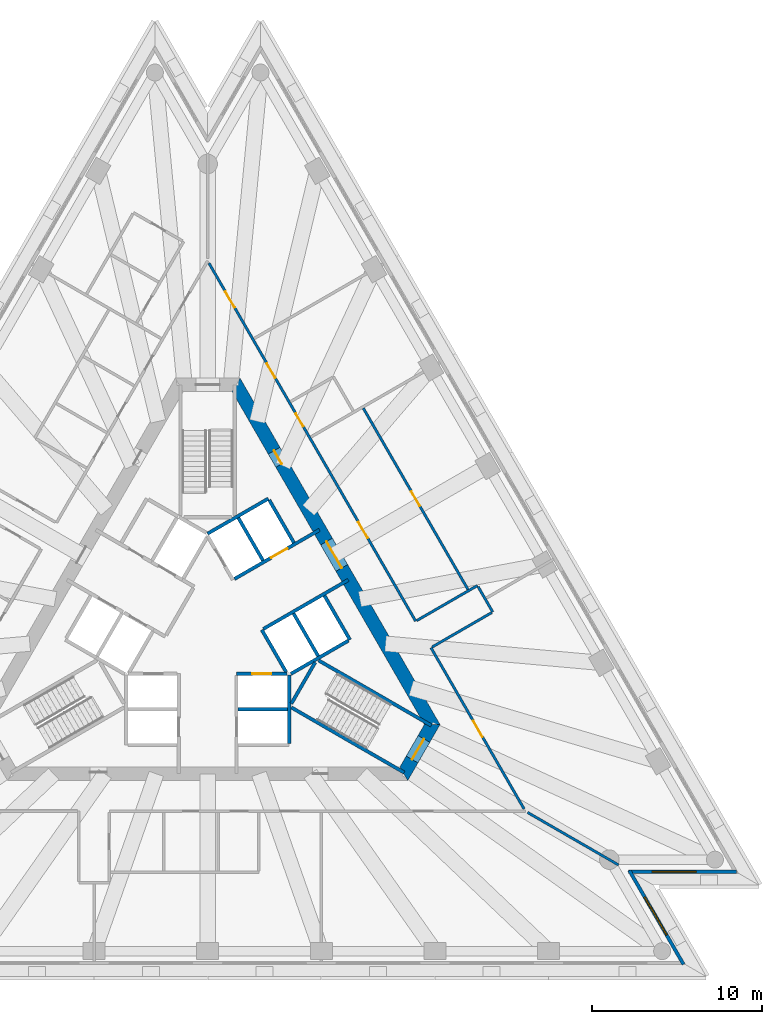
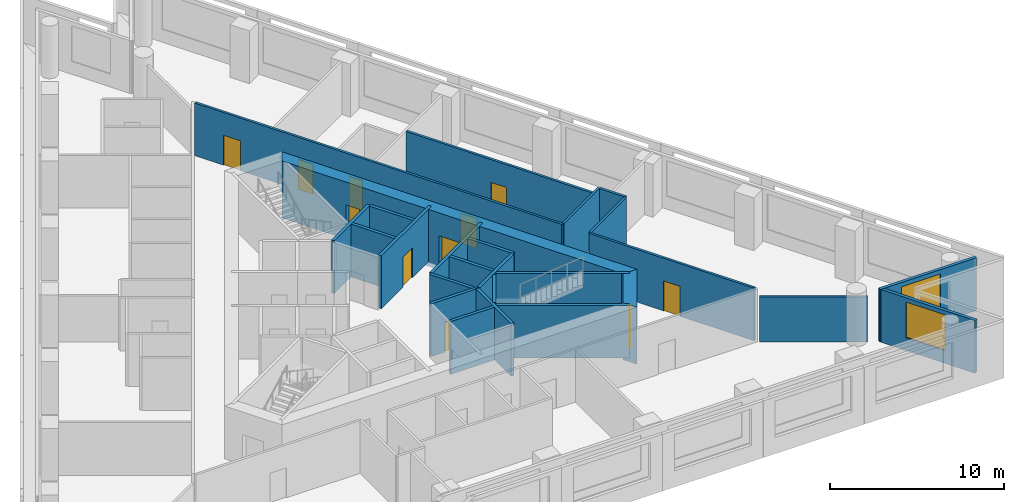
# One storey, part 5 of 9: 26 walls, 11 doors, 2 windows, 13 openings.
"""IFC4 building model written with IfcOpenShell, lengths in metres."""

from ifc_helpers import new_model, si_unit, direction, frame, frame_2d, origin, place, context, subcontext, project, spatial, polyline, rectangle, outline, extrude, material, layer, layer_set, layer_usage, type_object, element, fill, save


model = new_model("IFC4")

# Units and contexts
model_context = context("Model", 3, precision=1e-05, world=origin(), true_north=direction((0.0, 1.0)))
body_context = subcontext(model_context, "Body", "Model", "MODEL_VIEW")
ifc_project = project(units=[si_unit("LENGTHUNIT", "METRE"), si_unit("AREAUNIT", "SQUARE_METRE"), si_unit("VOLUMEUNIT", "CUBIC_METRE"), si_unit("PLANEANGLEUNIT", "RADIAN"), si_unit("MASSUNIT", "GRAM", prefix="KILO")], contexts=[model_context])

# Site, building, storey
site_placement = place(None, origin())
site = spatial("IfcSite", under=ifc_project, at=site_placement, CompositionType="ELEMENT")
building_placement = place(site_placement, origin())
building = spatial("IfcBuilding", under=site, at=building_placement, Name="Triada Interchange Tower", CompositionType="ELEMENT")
storey_placement = place(building_placement, frame((0.0, 0.0, 140.300048828125)))
storey = spatial("IfcBuildingStorey", under=building, at=storey_placement, Name="L32", CompositionType="ELEMENT", Elevation=140.300048828125)

# Wall
ifc_material_1 = material(Name="Concrete C30/37", Category="concrete")
ifc_layer_1 = layer(ifc_material_1, 0.199951171875)
ifc_layer_set_1 = layer_set([ifc_layer_1], Name="CORE WALL 200 EI 120")
wall_type_1 = type_object("IfcWallType", Name="CORE WALL 200 EI 120", PredefinedType="SOLIDWALL", material=ifc_layer_set_1)
wall_1_placement = place(storey_placement, frame((1.800048828125, -4.800048828125, 0.0), z_axis=(0.0, 0.0, 1.0), x_axis=(1.0, 0.0, 0.0)))
element("IfcWall", 1, at=wall_1_placement, inside=storey, type_object=wall_type_1, Name="Wall L32 49", PredefinedType="SOLIDWALL", context=body_context, shape_type="SweptSolid", body=[
    extrude(rectangle(XDim=2.89990234375, YDim=0.199951171875, at=frame_2d((1.449951171875, 0.0))), origin(), (0.0, 0.0, 1.0), 3.699951171875),
])

# Wall, opening, door
wall_2_placement = place(storey_placement, frame((1.702880859375, -2.699951171875, 0.0), z_axis=(0.0, 0.0, 1.0), x_axis=(1.0, 0.0, 0.0)))
wall_2 = element("IfcWall", 2, at=wall_2_placement, inside=storey, type_object=wall_type_1, Name="Wall L32 55", PredefinedType="SOLIDWALL", context=body_context, shape_type="SweptSolid", body=[
    extrude(rectangle(XDim=2.97314453125, YDim=0.199951171875, at=frame_2d((1.486572265625, 0.0))), origin(), (0.0, 0.0, 1.0), 3.699951171875),
])
opening_1_placement = place(wall_2_placement, frame((0.93603515625, 0.0, 0.0)))
opening_1 = element("IfcOpeningElement", 3, at=opening_1_placement, cuts=wall_2, Name="Opening LD-LR1", PredefinedType="OPENING", context=body_context, shape_type="SweptSolid", body=[
    extrude(rectangle(XDim=1.10009765625, YDim=2.10009765625, at=frame_2d((0.550048828125, 1.050048828125))), frame((0.0, 0.10986328125, 0.0), z_axis=(0.0, -1.0, 0.0), x_axis=(1.0, 0.0, 0.0)), (0.0, 0.0, 1.0), 0.219970703125),
])
ifc_material_2 = material(Name="Steel S235 door leaf", Category="steel")
door_type_1 = type_object("IfcDoorType", Name="LIFT LANDING DOOR 1100 EI 120", OperationType="SLIDING_TO_LEFT", PredefinedType="DOOR", material=ifc_material_2)
door_1_placement = place(opening_1_placement, origin())
door_1 = element("IfcDoor", 4, at=door_1_placement, inside=storey, type_object=door_type_1, Name="LR1 landing door L32", OperationType="SLIDING_TO_LEFT", OverallHeight=2.10009765625, OverallWidth=1.10009765625, PredefinedType="DOOR", context=body_context, shape_type="SweptSolid", body=[
    extrude(rectangle(XDim=1.10009765625, YDim=2.10009765625, at=frame_2d((0.550048828125, 1.050048828125))), frame((0.0, 0.02490234375, 0.0), z_axis=(0.0, -1.0, 0.0), x_axis=(1.0, 0.0, 0.0)), (0.0, 0.0, 1.0), 0.050048828125),
])
fill(opening_1, door_1)

# Walls
wall_3_placement = place(storey_placement, frame((-0.001953125, 5.5419921875, 0.0), z_axis=(0.0, 0.0, 1.0), x_axis=(0.866103910842, 0.499863997127, 0.0)))
element("IfcWall", 5, at=wall_3_placement, inside=storey, type_object=wall_type_1, Name="Wall L32 56", PredefinedType="SOLIDWALL", context=body_context, shape_type="SweptSolid", body=[
    extrude(rectangle(XDim=4.131103515625, YDim=0.199951171875, at=frame_2d((2.0654296875, 0.0))), origin(), (0.0, 0.0, 1.0), 3.699951171875),
])
wall_4_placement = place(storey_placement, frame((3.18994140625, -0.125, 0.0), z_axis=(0.0, 0.0, 1.0), x_axis=(0.499988658015, -0.866031951983, 0.0)))
element("IfcWall", 6, at=wall_4_placement, inside=storey, type_object=wall_type_1, Name="Wall L32 58", PredefinedType="SOLIDWALL", context=body_context, shape_type="SweptSolid", body=[
    extrude(rectangle(XDim=2.85791015625, YDim=0.199951171875, at=frame_2d((1.428955078125, 0.0))), origin(), (0.0, 0.0, 1.0), 3.699951171875),
])

# Wall, opening, door
wall_5_placement = place(storey_placement, frame((1.576904296875, 2.8740234375, 0.0), z_axis=(0.0, 0.0, 1.0), x_axis=(0.866073694534, 0.499916348638, 0.0)))
wall_5 = element("IfcWall", 7, at=wall_5_placement, inside=storey, type_object=wall_type_1, Name="Wall L32 59", PredefinedType="SOLIDWALL", context=body_context, shape_type="SweptSolid", body=[
    extrude(rectangle(XDim=5.77685546875, YDim=0.199951171875, at=frame_2d((2.888427734375, 0.0))), origin(), (0.0, 0.0, 1.0), 3.699951171875),
])
opening_2_placement = place(wall_5_placement, frame((2.4970703125, 0.0, 0.0)))
opening_2 = element("IfcOpeningElement", 8, at=opening_2_placement, cuts=wall_5, Name="Opening LD-LR6", PredefinedType="OPENING", context=body_context, shape_type="SweptSolid", body=[
    extrude(rectangle(XDim=1.10009765625, YDim=2.10009765625, at=frame_2d((0.550048828125, 1.050048828125))), frame((0.0, 0.10986328125, 0.0), z_axis=(0.0, -1.0, 0.0), x_axis=(1.0, 0.0, 0.0)), (0.0, 0.0, 1.0), 0.219970703125),
])
door_2_placement = place(opening_2_placement, origin())
door_2 = element("IfcDoor", 9, at=door_2_placement, inside=storey, type_object=door_type_1, Name="LR6 landing door L32", OperationType="SLIDING_TO_LEFT", OverallHeight=2.10009765625, OverallWidth=1.10009765625, PredefinedType="DOOR", context=body_context, shape_type="SweptSolid", body=[
    extrude(rectangle(XDim=1.10009765625, YDim=2.10009765625, at=frame_2d((0.550048828125, 1.050048828125))), frame((0.0, 0.02490234375, 0.0), z_axis=(0.0, -1.0, 0.0), x_axis=(1.0, 0.0, 0.0)), (0.0, 0.0, 1.0), 0.050048828125),
])
fill(opening_2, door_2)

# Walls
wall_6_placement = place(storey_placement, frame((3.278076171875, -0.071044921875, 0.0), z_axis=(0.0, 0.0, 1.0), x_axis=(0.865929348003, 0.5001663366, 0.0)))
element("IfcWall", 10, at=wall_6_placement, inside=storey, type_object=wall_type_1, Name="Wall L32 61", PredefinedType="SOLIDWALL", context=body_context, shape_type="SweptSolid", body=[
    extrude(rectangle(XDim=5.7763671875, YDim=0.199951171875, at=frame_2d((2.88818359375, 0.0))), origin(), (0.0, 0.0, 1.0), 3.699951171875),
])
wall_7_placement = place(storey_placement, frame((4.800048828125, -6.800048828125, 0.0), z_axis=(0.0, 0.0, 1.0), x_axis=(0.0, 1.0, 0.0)))
element("IfcWall", 11, at=wall_7_placement, inside=storey, type_object=wall_type_1, Name="Wall L32 62", PredefinedType="SOLIDWALL", context=body_context, shape_type="SweptSolid", body=[
    extrude(rectangle(XDim=4.029052734375, YDim=0.199951171875, at=frame_2d((2.0146484375, 0.0))), origin(), (0.0, 0.0, 1.0), 3.699951171875),
])
wall_8_placement = place(storey_placement, frame((3.6259765625, 7.52001953125, 0.0), z_axis=(0.0, 0.0, 1.0), x_axis=(0.500060147554, -0.865990674793, 0.0)))
element("IfcWall", 12, at=wall_8_placement, inside=storey, type_object=wall_type_1, Name="Wall L32 63", PredefinedType="SOLIDWALL", context=body_context, shape_type="SweptSolid", body=[
    extrude(rectangle(XDim=2.899658203125, YDim=0.199951171875, at=frame_2d((1.44970703125, 0.0))), origin(), (0.0, 0.0, 1.0), 3.699951171875),
])
wall_9_placement = place(storey_placement, frame((6.8759765625, 1.89111328125, 0.0), z_axis=(0.0, 0.0, 1.0), x_axis=(0.499990139034, -0.866031096941, 0.0)))
element("IfcWall", 13, at=wall_9_placement, inside=storey, type_object=wall_type_1, Name="Wall L32 64", PredefinedType="SOLIDWALL", context=body_context, shape_type="SweptSolid", body=[
    extrude(rectangle(XDim=3.0, YDim=0.199951171875, at=frame_2d((1.5, 0.0))), origin(), (0.0, 0.0, 1.0), 3.699951171875),
])
for number, where, z_axis, x_axis, name in (
    (14, (1.806884765625, 6.469970703125, 0.0), (0.0, 0.0, 1.0), (0.50012328804, -0.865954211699, 0.0), "Wall L32 65"),
    (15, (5.056884765625, 0.841064453125, 0.0), (0.0, 0.0, 1.0), (0.50012328804, -0.865954211699, 0.0), "Wall L32 66"),
):
    element("IfcWall", number, at=place(storey_placement, frame(where, z_axis=z_axis, x_axis=x_axis)), inside=storey, type_object=wall_type_1, Name=name, PredefinedType="SOLIDWALL", context=body_context, shape_type="SweptSolid", body=[
        extrude(rectangle(XDim=2.899658203125, YDim=0.199951171875, at=frame_2d((1.44970703125, 0.0))), origin(), (0.0, 0.0, 1.0), 3.699951171875),
    ])
wall_10_placement = place(storey_placement, frame((4.89990234375, -2.714111328125, 0.0), z_axis=(0.0, 0.0, 1.0), x_axis=(0.865992350556, 0.500057245502, 0.0)))
element("IfcWall", 16, at=wall_10_placement, inside=storey, type_object=wall_type_1, Name="Wall L32 67", PredefinedType="SOLIDWALL", context=body_context, shape_type="SweptSolid", body=[
    extrude(rectangle(XDim=3.91357421875, YDim=0.199951171875, at=frame_2d((1.956787109375, 0.0))), origin(), (0.0, 0.0, 1.0), 3.699951171875),
])
ifc_layer_2 = layer(ifc_material_1, 0.199951171875)
ifc_layer_set_2 = layer_set([ifc_layer_2], Name="CORE WALL 200 REI 240")
wall_type_2 = type_object("IfcWallType", Name="CORE WALL 200 REI 240", PredefinedType="SOLIDWALL", material=ifc_layer_set_2)
wall_11_placement = place(storey_placement, frame((4.928955078125, -4.693115234375, 0.0), z_axis=(0.0, 0.0, 1.0), x_axis=(0.866005769735, -0.50003400563, 0.0)))
element("IfcWall", 17, at=wall_11_placement, inside=storey, type_object=wall_type_2, Name="Wall L32 89", PredefinedType="SOLIDWALL", context=body_context, shape_type="SweptSolid", body=[
    extrude(rectangle(XDim=7.6650390625, YDim=0.199951171875, at=frame_2d((3.83251953125, 0.0))), origin(), (0.0, 0.0, 1.0), 3.699951171875),
])
wall_12_placement = place(storey_placement, frame((4.928955078125, -4.4619140625, 0.0), z_axis=(0.0, 0.0, 1.0), x_axis=(0.500200581029, 0.865909567298, 0.0)))
element("IfcWall", 18, at=wall_12_placement, inside=storey, type_object=wall_type_2, Name="Wall L32 90", PredefinedType="SOLIDWALL", context=body_context, shape_type="SweptSolid", body=[
    extrude(rectangle(XDim=2.799072265625, YDim=0.199951171875, at=frame_2d((1.3994140625, 0.0))), origin(), (0.0, 0.0, 1.0), 3.699951171875),
])
wall_13_placement = place(storey_placement, frame((6.529052734375, -1.922119140625, 0.0), z_axis=(0.0, 0.0, 1.0), x_axis=(0.866060938598, -0.499938446846, 0.0)))
element("IfcWall", 19, at=wall_13_placement, inside=storey, type_object=wall_type_2, Name="Wall L32 91", PredefinedType="SOLIDWALL", context=body_context, shape_type="SweptSolid", body=[
    extrude(rectangle(XDim=7.66455078125, YDim=0.199951171875, at=frame_2d((3.832275390625, 0.0))), origin(), (0.0, 0.0, 1.0), 3.699951171875),
])

# Wall, opening, door
ifc_material_3 = material(Name="Concrete C60/75", Category="concrete")
ifc_layer_3 = layer(ifc_material_3, 0.800048828125)
ifc_layer_set_3 = layer_set([ifc_layer_3], Name="Core wall B 800")
wall_type_3 = type_object("IfcWallType", Name="Core wall B 800", PredefinedType="SHEAR", material=ifc_layer_set_3)
wall_14_placement = place(storey_placement, frame((11.547119140625, -8.60009765625, -0.300048828125), z_axis=(0.0, 0.0, 1.0), x_axis=(0.49987182685, 0.866099391942, 0.0)))
wall_14 = element("IfcWall", 20, at=wall_14_placement, inside=storey, type_object=wall_type_3, Name="Core wall WB05 L32", PredefinedType="SHEAR", context=body_context, shape_type="SweptSolid", body=[
    extrude(outline(polyline([(-0.23095703125, -0.39990234375), (1.674072265625, -0.39990234375), (3.5791015625, -0.39990234375), (3.117919921875, 0.39990234375), (1.67431640625, 0.39990234375), (0.23095703125, 0.39990234375), (-0.23095703125, -0.39990234375)])), origin(), (0.0, 0.0, 1.0), 4.0),
])
opening_3_placement = place(wall_14_placement, frame((0.97412109375, 0.0, 0.300048828125)))
opening_3 = element("IfcOpeningElement", 21, at=opening_3_placement, cuts=wall_14, Name="Opening D32-37", PredefinedType="OPENING", context=body_context, shape_type="SweptSolid", body=[
    extrude(rectangle(XDim=1.39990234375, YDim=2.10009765625, at=frame_2d((0.699951171875, 1.050048828125))), frame((0.0, 0.409912109375, 0.0), z_axis=(0.0, -1.0, 0.0), x_axis=(1.0, 0.0, 0.0)), (0.0, 0.0, 1.0), 0.820068359375),
])
door_type_2 = type_object("IfcDoorType", Name="STAIR DOOR 1400 EI2 90-C5S200", OperationType="DOUBLE_DOOR_SINGLE_SWING", PredefinedType="DOOR", material=ifc_material_2)
door_3_placement = place(opening_3_placement, origin())
door_3 = element("IfcDoor", 22, at=door_3_placement, inside=storey, type_object=door_type_2, Name="Door D32-37 L32", OperationType="DOUBLE_DOOR_SINGLE_SWING", OverallHeight=2.10009765625, OverallWidth=1.39990234375, PredefinedType="DOOR", context=body_context, shape_type="SweptSolid", body=[
    extrude(rectangle(XDim=1.39990234375, YDim=2.10009765625, at=frame_2d((0.699951171875, 1.050048828125))), frame((0.0, 0.02490234375, 0.0), z_axis=(0.0, -1.0, 0.0), x_axis=(1.0, 0.0, 0.0)), (0.0, 0.0, 1.0), 0.050048828125),
])
fill(opening_3, door_3)

# Wall, openings, doors
wall_15_placement = place(storey_placement, frame((13.220947265625, -5.699951171875, -0.300048828125), z_axis=(0.0, 0.0, 1.0), x_axis=(-0.499995765644, 0.866027848477, 0.0)))
wall_15 = element("IfcWall", 23, at=wall_15_placement, inside=storey, type_object=wall_type_3, Name="Core wall WB06 L32", PredefinedType="SHEAR", context=body_context, shape_type="SweptSolid", body=[
    extrude(outline(polyline([(-0.23095703125, -0.39990234375), (1.73193359375, -0.39990234375), (3.695068359375, -0.39990234375), (5.657958984375, -0.39990234375), (7.62109375, -0.39990234375), (9.583984375, -0.39990234375), (11.546875, -0.39990234375), (13.510009765625, -0.39990234375), (15.472900390625, -0.39990234375), (17.43603515625, -0.39990234375), (19.39892578125, -0.39990234375), (21.362060546875, -0.39990234375), (23.324951171875, -0.39990234375), (22.863037109375, 0.39990234375), (20.97705078125, 0.39990234375), (19.091064453125, 0.39990234375), (17.205078125, 0.39990234375), (15.319091796875, 0.39990234375), (13.43310546875, 0.39990234375), (11.546875, 0.39990234375), (9.660888671875, 0.39990234375), (7.77490234375, 0.39990234375), (5.888916015625, 0.39990234375), (4.0029296875, 0.39990234375), (2.116943359375, 0.39990234375), (0.23095703125, 0.39990234375), (-0.23095703125, -0.39990234375)])), origin(), (0.0, 0.0, 1.0), 4.0),
])
opening_4_placement = place(wall_15_placement, frame((10.64697265625, 0.0, 0.300048828125)))
opening_4 = element("IfcOpeningElement", 24, at=opening_4_placement, cuts=wall_15, Name="Opening D32-34", PredefinedType="OPENING", context=body_context, shape_type="SweptSolid", body=[
    extrude(rectangle(XDim=1.800048828125, YDim=2.10009765625, at=frame_2d((0.89990234375, 1.050048828125))), frame((0.0, 0.409912109375, 0.0), z_axis=(0.0, -1.0, 0.0), x_axis=(1.0, 0.0, 0.0)), (0.0, 0.0, 1.0), 0.820068359375),
])
opening_5_placement = place(wall_15_placement, frame((17.720947265625, 0.0, 0.300048828125)))
opening_5 = element("IfcOpeningElement", 25, at=opening_5_placement, cuts=wall_15, Name="Opening D32-41", PredefinedType="OPENING", context=body_context, shape_type="SweptSolid", body=[
    extrude(rectangle(XDim=0.89990234375, YDim=2.10009765625, at=frame_2d((0.449951171875, 1.050048828125))), frame((0.0, 0.409912109375, 0.0), z_axis=(0.0, -1.0, 0.0), x_axis=(1.0, 0.0, 0.0)), (0.0, 0.0, 1.0), 0.820068359375),
])
door_type_3 = type_object("IfcDoorType", Name="LOBBY DOOR 1800 EI2 90-C5S200", OperationType="DOUBLE_DOOR_SINGLE_SWING", PredefinedType="DOOR", material=ifc_material_2)
door_4_placement = place(opening_4_placement, origin())
door_4 = element("IfcDoor", 26, at=door_4_placement, inside=storey, type_object=door_type_3, Name="Door D32-34 L32", OperationType="DOUBLE_DOOR_SINGLE_SWING", OverallHeight=2.10009765625, OverallWidth=1.800048828125, PredefinedType="DOOR", context=body_context, shape_type="SweptSolid", body=[
    extrude(rectangle(XDim=1.800048828125, YDim=2.10009765625, at=frame_2d((0.89990234375, 1.050048828125))), frame((0.0, 0.02490234375, 0.0), z_axis=(0.0, -1.0, 0.0), x_axis=(1.0, 0.0, 0.0)), (0.0, 0.0, 1.0), 0.050048828125),
])
fill(opening_4, door_4)
door_type_4 = type_object("IfcDoorType", Name="SERVICE DOOR 900 EI2 45-C5S200", OperationType="NOTDEFINED", PredefinedType="DOOR", material=ifc_material_2)
door_5_placement = place(opening_5_placement, origin())
door_5 = element("IfcDoor", 27, at=door_5_placement, inside=storey, type_object=door_type_4, Name="Door D32-41 L32", OperationType="SINGLE_SWING_RIGHT", OverallHeight=2.10009765625, OverallWidth=0.89990234375, PredefinedType="DOOR", context=body_context, shape_type="SweptSolid", body=[
    extrude(rectangle(XDim=0.89990234375, YDim=2.10009765625, at=frame_2d((0.449951171875, 1.050048828125))), frame((0.0, 0.02490234375, 0.0), z_axis=(0.0, -1.0, 0.0), x_axis=(1.0, 0.0, 0.0)), (0.0, 0.0, 1.0), 0.050048828125),
])
fill(opening_5, door_5)

# Wall, opening, window
ifc_material_4 = material(Name="Cement board")
ifc_layer_4 = layer(ifc_material_4, 0.02001953125, Name="Cement board cladding")
ifc_material_5 = material(Name="Sheathing board")
ifc_layer_5 = layer(ifc_material_5, 0.014892578125, Name="Sheathing board")
ifc_material_6 = material(Name="Mineral wool")
ifc_layer_6 = layer(ifc_material_6, 0.14990234375, Name="Mineral wool between steel studs")
ifc_material_7 = material(Name="Gypsum board")
ifc_layer_7 = layer(ifc_material_7, 0.014892578125, Name="Plasterboard lining")
ifc_layer_set_4 = layer_set([ifc_layer_4, ifc_layer_5, ifc_layer_6, ifc_layer_7], Name="External wall 200")
ifc_layer_usage = layer_usage(ifc_layer_set_4, "AXIS2", "POSITIVE", -0.10009765625)
wall_type_4 = type_object("IfcWallType", Name="External wall 200", PredefinedType="ELEMENTEDWALL", material=ifc_layer_set_4)
wall_16_placement = place(storey_placement, frame((28.01806640625, -19.81689453125, 0.0), z_axis=(0.0, 0.0, 1.0), x_axis=(-0.499919089554, 0.866072112413, 0.0)))
wall_16 = element("IfcWall", 28, at=wall_16_placement, inside=storey, type_object=wall_type_4, material=ifc_layer_usage, Name="External wall L32 SE-1", PredefinedType="ELEMENTEDWALL", context=body_context, shape_type="SweptSolid", body=[
    extrude(rectangle(XDim=6.376953125, YDim=0.199951171875, at=frame_2d((3.1884765625, 0.0))), origin(), (0.0, 0.0, 1.0), 3.699951171875),
])
opening_6_placement = place(wall_16_placement, frame((1.989990234375, 0.0, 0.89990234375)))
opening_6 = element("IfcOpeningElement", 29, at=opening_6_placement, cuts=wall_16, Name="Opening WB19", PredefinedType="OPENING", context=body_context, shape_type="SweptSolid", body=[
    extrude(rectangle(XDim=2.60009765625, YDim=2.5, at=frame_2d((1.300048828125, 1.25))), frame((0.0, 0.10986328125, 0.0), z_axis=(0.0, -1.0, 0.0), x_axis=(1.0, 0.0, 0.0)), (0.0, 0.0, 1.0), 0.219970703125),
])
ifc_material_8 = material(Name="Double glazed aluminium window", Category="aluminium")
window_type = type_object("IfcWindowType", Name="Ribbon window B pocket", PartitioningType="SINGLE_PANEL", PredefinedType="WINDOW", material=ifc_material_8)
window_1_placement = place(opening_6_placement, origin())
window_1 = element("IfcWindow", 30, at=window_1_placement, inside=storey, type_object=window_type, Name="Window L32 SE-1 1", OverallHeight=2.5, OverallWidth=2.60009765625, PartitioningType="SINGLE_PANEL", PredefinedType="WINDOW", context=body_context, shape_type="SweptSolid", body=[
    extrude(rectangle(XDim=2.60009765625, YDim=2.5, at=frame_2d((1.300048828125, 1.25))), frame((0.0, 0.030029296875, 0.0), z_axis=(0.0, -1.0, 0.0), x_axis=(1.0, 0.0, 0.0)), (0.0, 0.0, 1.0), 0.06005859375),
])
fill(opening_6, window_1)

wall_17_placement = place(storey_placement, frame((24.77490234375, -14.35498046875, 0.0), z_axis=(0.0, 0.0, 1.0), x_axis=(1.0, 0.0, 0.0)))
wall_17 = element("IfcWall", 31, at=wall_17_placement, inside=storey, type_object=wall_type_4, material=ifc_layer_usage, Name="External wall L32 SE-2", PredefinedType="ELEMENTEDWALL", context=body_context, shape_type="SweptSolid", body=[
    extrude(rectangle(XDim=6.3759765625, YDim=0.199951171875, at=frame_2d((3.18798828125, 0.0))), origin(), (0.0, 0.0, 1.0), 3.699951171875),
])
opening_7_placement = place(wall_17_placement, frame((1.389892578125, 0.0, 0.89990234375)))
opening_7 = element("IfcOpeningElement", 32, at=opening_7_placement, cuts=wall_17, Name="Opening WB20", PredefinedType="OPENING", context=body_context, shape_type="SweptSolid", body=[
    extrude(rectangle(XDim=2.60009765625, YDim=2.5, at=frame_2d((1.300048828125, 1.25))), frame((0.0, 0.10986328125, 0.0), z_axis=(0.0, -1.0, 0.0), x_axis=(1.0, 0.0, 0.0)), (0.0, 0.0, 1.0), 0.219970703125),
])
window_2_placement = place(opening_7_placement, origin())
window_2 = element("IfcWindow", 33, at=window_2_placement, inside=storey, type_object=window_type, Name="Window L32 SE-2 1", OverallHeight=2.5, OverallWidth=2.60009765625, PartitioningType="SINGLE_PANEL", PredefinedType="WINDOW", context=body_context, shape_type="SweptSolid", body=[
    extrude(rectangle(XDim=2.60009765625, YDim=2.5, at=frame_2d((1.300048828125, 1.25))), frame((0.0, 0.030029296875, 0.0), z_axis=(0.0, -1.0, 0.0), x_axis=(1.0, 0.0, 0.0)), (0.0, 0.0, 1.0), 0.06005859375),
])
fill(opening_7, window_2)

# Wall
ifc_material_9 = material(Name="Gypsum board partition")
ifc_layer_8 = layer(ifc_material_9, 0.14990234375)
ifc_layer_set_5 = layer_set([ifc_layer_8], Name="PARTITION 150 EI 180")
wall_type_5 = type_object("IfcWallType", Name="PARTITION 150 EI 180", PredefinedType="PARTITIONING", material=ifc_layer_set_5)
wall_18_placement = place(storey_placement, frame((18.8359375, -10.8740234375, 0.0), z_axis=(0.0, 0.0, 1.0), x_axis=(0.865990889316, -0.500059776048, 0.0)))
element("IfcWall", 34, at=wall_18_placement, inside=storey, type_object=wall_type_5, Name="Wall L32 10", PredefinedType="PARTITIONING", context=body_context, shape_type="SweptSolid", body=[
    extrude(rectangle(XDim=6.181396484375, YDim=0.14990234375, at=frame_2d((3.0908203125, 0.0))), origin(), (0.0, 0.0, 1.0), 3.14990234375),
])

# Wall, openings, doors
wall_19_placement = place(storey_placement, frame((0.075927734375, 21.468017578125, 0.0), z_axis=(0.0, 0.0, 1.0), x_axis=(0.499999691263, -0.866025582034, 0.0)))
wall_19 = element("IfcWall", 35, at=wall_19_placement, inside=storey, type_object=wall_type_5, Name="Wall L32 28", PredefinedType="PARTITIONING", context=body_context, shape_type="SweptSolid", body=[
    extrude(rectangle(XDim=24.34228515625, YDim=0.14990234375, at=frame_2d((12.171142578125, 0.0))), origin(), (0.0, 0.0, 1.0), 3.699951171875),
])
opening_8_placement = place(wall_19_placement, frame((17.593994140625, 0.0, 0.0)))
opening_8 = element("IfcOpeningElement", 36, at=opening_8_placement, cuts=wall_19, Name="Opening D32-18", PredefinedType="OPENING", context=body_context, shape_type="SweptSolid", body=[
    extrude(rectangle(XDim=1.10009765625, YDim=2.10009765625, at=frame_2d((0.550048828125, 1.050048828125))), frame((0.0, 0.0849609375, 0.0), z_axis=(0.0, -1.0, 0.0), x_axis=(1.0, 0.0, 0.0)), (0.0, 0.0, 1.0), 0.169921875),
])
opening_9_placement = place(wall_19_placement, frame((6.81396484375, 0.0, 0.0)))
opening_9 = element("IfcOpeningElement", 37, at=opening_9_placement, cuts=wall_19, Name="Opening D32-20", PredefinedType="OPENING", context=body_context, shape_type="SweptSolid", body=[
    extrude(rectangle(XDim=1.0, YDim=2.10009765625, at=frame_2d((0.5, 1.050048828125))), frame((0.0, 0.0849609375, 0.0), z_axis=(0.0, -1.0, 0.0), x_axis=(1.0, 0.0, 0.0)), (0.0, 0.0, 1.0), 0.169921875),
])
opening_10_placement = place(wall_19_placement, frame((10.214111328125, 0.0, 0.0)))
opening_10 = element("IfcOpeningElement", 38, at=opening_10_placement, cuts=wall_19, Name="Opening D32-21", PredefinedType="OPENING", context=body_context, shape_type="SweptSolid", body=[
    extrude(rectangle(XDim=0.89990234375, YDim=2.10009765625, at=frame_2d((0.449951171875, 1.050048828125))), frame((0.0, 0.0849609375, 0.0), z_axis=(0.0, -1.0, 0.0), x_axis=(1.0, 0.0, 0.0)), (0.0, 0.0, 1.0), 0.169921875),
])
opening_11_placement = place(wall_19_placement, frame((1.924072265625, 0.0, 0.0)))
opening_11 = element("IfcOpeningElement", 39, at=opening_11_placement, cuts=wall_19, Name="Opening D32-22", PredefinedType="OPENING", context=body_context, shape_type="SweptSolid", body=[
    extrude(rectangle(XDim=1.10009765625, YDim=2.10009765625, at=frame_2d((0.550048828125, 1.050048828125))), frame((0.0, 0.0849609375, 0.0), z_axis=(0.0, -1.0, 0.0), x_axis=(1.0, 0.0, 0.0)), (0.0, 0.0, 1.0), 0.169921875),
])
door_type_5 = type_object("IfcDoorType", Name="ROOM DOOR 1000 EI2 90-C5S200", OperationType="NOTDEFINED", PredefinedType="DOOR", material=ifc_material_2)
door_6_placement = place(opening_9_placement, origin())
door_6 = element("IfcDoor", 40, at=door_6_placement, inside=storey, type_object=door_type_5, Name="Door D32-20 L32", OperationType="SINGLE_SWING_RIGHT", OverallHeight=2.10009765625, OverallWidth=1.0, PredefinedType="DOOR", context=body_context, shape_type="SweptSolid", body=[
    extrude(rectangle(XDim=1.0, YDim=2.10009765625, at=frame_2d((0.5, 1.050048828125))), frame((0.0, 0.02490234375, 0.0), z_axis=(0.0, -1.0, 0.0), x_axis=(1.0, 0.0, 0.0)), (0.0, 0.0, 1.0), 0.050048828125),
])
fill(opening_9, door_6)
door_type_6 = type_object("IfcDoorType", Name="SERVICE DOOR 900 EI2 90-C5S200", OperationType="NOTDEFINED", PredefinedType="DOOR", material=ifc_material_2)
door_7_placement = place(opening_10_placement, origin())
door_7 = element("IfcDoor", 41, at=door_7_placement, inside=storey, type_object=door_type_6, Name="Door D32-21 L32", OperationType="SINGLE_SWING_LEFT", OverallHeight=2.10009765625, OverallWidth=0.89990234375, PredefinedType="DOOR", context=body_context, shape_type="SweptSolid", body=[
    extrude(rectangle(XDim=0.89990234375, YDim=2.10009765625, at=frame_2d((0.449951171875, 1.050048828125))), frame((0.0, 0.02490234375, 0.0), z_axis=(0.0, -1.0, 0.0), x_axis=(1.0, 0.0, 0.0)), (0.0, 0.0, 1.0), 0.050048828125),
])
fill(opening_10, door_7)
door_type_7 = type_object("IfcDoorType", Name="TENANCY ENTRANCE DOOR 1100 EI2 90-C5S200", OperationType="NOTDEFINED", PredefinedType="DOOR", material=ifc_material_2)
door_8_placement = place(opening_8_placement, origin())
door_8 = element("IfcDoor", 42, at=door_8_placement, inside=storey, type_object=door_type_7, Name="Door D32-18 L32", OperationType="SINGLE_SWING_LEFT", OverallHeight=2.10009765625, OverallWidth=1.10009765625, PredefinedType="DOOR", context=body_context, shape_type="SweptSolid", body=[
    extrude(rectangle(XDim=1.10009765625, YDim=2.10009765625, at=frame_2d((0.550048828125, 1.050048828125))), frame((0.0, 0.02490234375, 0.0), z_axis=(0.0, -1.0, 0.0), x_axis=(1.0, 0.0, 0.0)), (0.0, 0.0, 1.0), 0.050048828125),
])
fill(opening_8, door_8)
door_9_placement = place(opening_11_placement, origin())
door_9 = element("IfcDoor", 43, at=door_9_placement, inside=storey, type_object=door_type_7, Name="Door D32-22 L32", OperationType="SINGLE_SWING_LEFT", OverallHeight=2.10009765625, OverallWidth=1.10009765625, PredefinedType="DOOR", context=body_context, shape_type="SweptSolid", body=[
    extrude(rectangle(XDim=1.10009765625, YDim=2.10009765625, at=frame_2d((0.550048828125, 1.050048828125))), frame((0.0, 0.02490234375, 0.0), z_axis=(0.0, -1.0, 0.0), x_axis=(1.0, 0.0, 0.0)), (0.0, 0.0, 1.0), 0.050048828125),
])
fill(opening_11, door_9)

# Wall, opening, door
wall_20_placement = place(storey_placement, frame((13.14794921875, -1.174072265625, 0.0), z_axis=(0.0, 0.0, 1.0), x_axis=(0.500088017957, -0.865974580629, 0.0)))
wall_20 = element("IfcWall", 44, at=wall_20_placement, inside=storey, type_object=wall_type_5, Name="Wall L32 29", PredefinedType="PARTITIONING", context=body_context, shape_type="SweptSolid", body=[
    extrude(rectangle(XDim=10.96435546875, YDim=0.14990234375, at=frame_2d((5.482177734375, 0.0))), origin(), (0.0, 0.0, 1.0), 3.699951171875),
])
opening_12_placement = place(wall_20_placement, frame((4.964111328125, 0.0, 0.0)))
opening_12 = element("IfcOpeningElement", 45, at=opening_12_placement, cuts=wall_20, Name="Opening D32-17", PredefinedType="OPENING", context=body_context, shape_type="SweptSolid", body=[
    extrude(rectangle(XDim=1.10009765625, YDim=2.10009765625, at=frame_2d((0.550048828125, 1.050048828125))), frame((0.0, 0.0849609375, 0.0), z_axis=(0.0, -1.0, 0.0), x_axis=(1.0, 0.0, 0.0)), (0.0, 0.0, 1.0), 0.169921875),
])
door_10_placement = place(opening_12_placement, origin())
door_10 = element("IfcDoor", 46, at=door_10_placement, inside=storey, type_object=door_type_7, Name="Door D32-17 L32", OperationType="SINGLE_SWING_RIGHT", OverallHeight=2.10009765625, OverallWidth=1.10009765625, PredefinedType="DOOR", context=body_context, shape_type="SweptSolid", body=[
    extrude(rectangle(XDim=1.10009765625, YDim=2.10009765625, at=frame_2d((0.550048828125, 1.050048828125))), frame((0.0, 0.02490234375, 0.0), z_axis=(0.0, -1.0, 0.0), x_axis=(1.0, 0.0, 0.0)), (0.0, 0.0, 1.0), 0.050048828125),
])
fill(opening_12, door_10)

# Walls
wall_21_placement = place(storey_placement, frame((12.31396484375, 0.424072265625, 0.0), z_axis=(0.0, 0.0, 1.0), x_axis=(0.865997263264, 0.500048737644, 0.0)))
element("IfcWall", 47, at=wall_21_placement, inside=storey, type_object=wall_type_5, Name="Wall L32 36", PredefinedType="PARTITIONING", context=body_context, shape_type="SweptSolid", body=[
    extrude(rectangle(XDim=4.12353515625, YDim=0.14990234375, at=frame_2d((2.061767578125, 0.0))), origin(), (0.0, 0.0, 1.0), 3.699951171875),
])
wall_22_placement = place(storey_placement, frame((15.923095703125, 2.4208984375, 0.0), z_axis=(0.0, 0.0, 1.0), x_axis=(0.499702028684, -0.866197369269, 0.0)))
element("IfcWall", 48, at=wall_22_placement, inside=storey, type_object=wall_type_5, Name="Wall L32 37", PredefinedType="PARTITIONING", context=body_context, shape_type="SweptSolid", body=[
    extrude(rectangle(XDim=1.724609375, YDim=0.14990234375, at=frame_2d((0.8623046875, 0.0))), origin(), (0.0, 0.0, 1.0), 3.699951171875),
])
wall_23_placement = place(storey_placement, frame((13.214111328125, -1.135009765625, 0.0), z_axis=(0.0, 0.0, 1.0), x_axis=(0.865940524948, 0.500146985649, 0.0)))
element("IfcWall", 49, at=wall_23_placement, inside=storey, type_object=wall_type_5, Name="Wall L32 40", PredefinedType="PARTITIONING", context=body_context, shape_type="SweptSolid", body=[
    extrude(rectangle(XDim=4.048583984375, YDim=0.14990234375, at=frame_2d((2.0244140625, 0.0))), origin(), (0.0, 0.0, 1.0), 3.699951171875),
])

# Wall, opening, door
ifc_layer_9 = layer(ifc_material_9, 0.14990234375)
ifc_layer_set_6 = layer_set([ifc_layer_9], Name="PARTITION 150 EI 90")
wall_type_6 = type_object("IfcWallType", Name="PARTITION 150 EI 90", PredefinedType="PARTITIONING", material=ifc_layer_set_6)
wall_24_placement = place(storey_placement, frame((9.1630859375, 12.928955078125, 0.0), z_axis=(0.0, 0.0, 1.0), x_axis=(0.499991554064, -0.866030279993, 0.0)))
wall_24 = element("IfcWall", 50, at=wall_24_placement, inside=storey, type_object=wall_type_6, Name="Wall L32 45", PredefinedType="PARTITIONING", context=body_context, shape_type="SweptSolid", body=[
    extrude(rectangle(XDim=12.329833984375, YDim=0.14990234375, at=frame_2d((6.1650390625, 0.0))), origin(), (0.0, 0.0, 1.0), 3.699951171875),
])
opening_13_placement = place(wall_24_placement, frame((5.655029296875, 0.0, 0.0)))
opening_13 = element("IfcOpeningElement", 51, at=opening_13_placement, cuts=wall_24, Name="Opening D32-19", PredefinedType="OPENING", context=body_context, shape_type="SweptSolid", body=[
    extrude(rectangle(XDim=1.0, YDim=2.10009765625, at=frame_2d((0.5, 1.050048828125))), frame((0.0, 0.0849609375, 0.0), z_axis=(0.0, -1.0, 0.0), x_axis=(1.0, 0.0, 0.0)), (0.0, 0.0, 1.0), 0.169921875),
])
door_type_8 = type_object("IfcDoorType", Name="ROOM DOOR 1000 EI2 45-C5S200", OperationType="NOTDEFINED", PredefinedType="DOOR", material=ifc_material_2)
door_11_placement = place(opening_13_placement, origin())
door_11 = element("IfcDoor", 52, at=door_11_placement, inside=storey, type_object=door_type_8, Name="Door D32-19 L32", OperationType="SINGLE_SWING_RIGHT", OverallHeight=2.10009765625, OverallWidth=1.0, PredefinedType="DOOR", context=body_context, shape_type="SweptSolid", body=[
    extrude(rectangle(XDim=1.0, YDim=2.10009765625, at=frame_2d((0.5, 1.050048828125))), frame((0.0, 0.02490234375, 0.0), z_axis=(0.0, -1.0, 0.0), x_axis=(1.0, 0.0, 0.0)), (0.0, 0.0, 1.0), 0.050048828125),
])
fill(opening_13, door_11)

save(model, "model.ifc")
